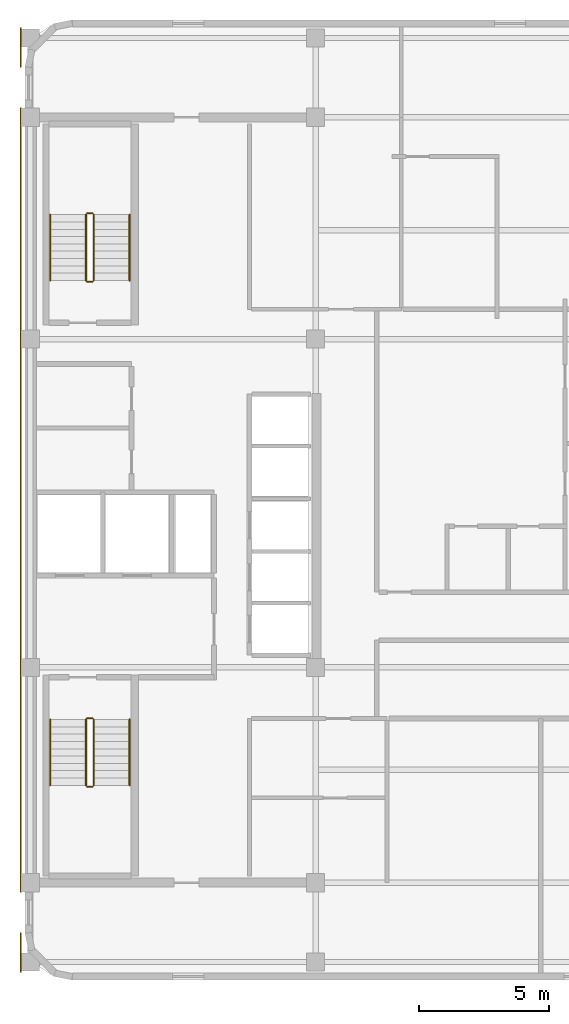
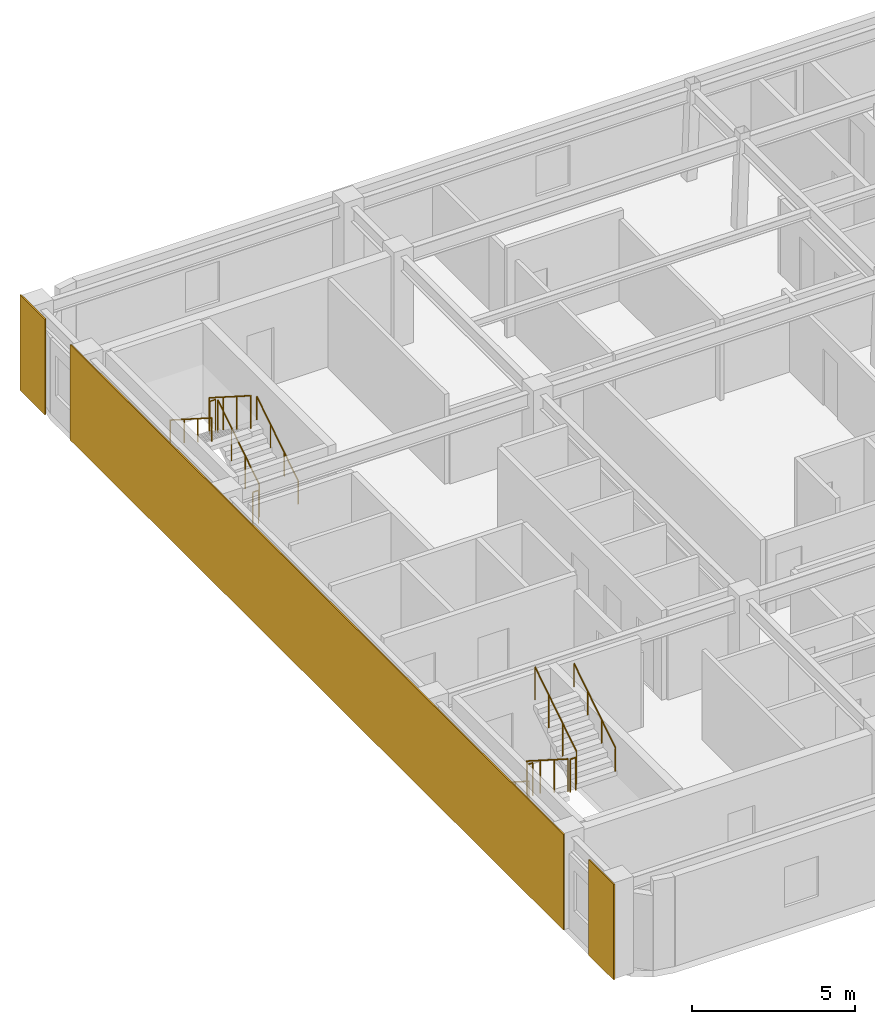
# One storey, part 7 of 7: 12 railings, 3 coverings.
"""IFC4 building model written with IfcOpenShell, lengths in metres."""

from ifc_helpers import new_model, si_unit, direction, frame, origin, origin_2d, place, context, subcontext, project, spatial, rectangle, circle, extrude, material, layer, layer_set, type_object, element, save


model = new_model("IFC4")

# Units and contexts
model_context = context("Model", 3, precision=1e-05, world=origin(), true_north=direction((0.0, 1.0)))
body_context = subcontext(model_context, "Body", "Model", "MODEL_VIEW")
ifc_project = project(units=[si_unit("LENGTHUNIT", "METRE"), si_unit("AREAUNIT", "SQUARE_METRE"), si_unit("VOLUMEUNIT", "CUBIC_METRE"), si_unit("PLANEANGLEUNIT", "RADIAN"), si_unit("MASSUNIT", "GRAM", prefix="KILO")], contexts=[model_context])

# Site, building, storey
site_placement = place(None, origin())
site = spatial("IfcSite", under=ifc_project, at=site_placement, CompositionType="ELEMENT")
building_placement = place(site_placement, origin())
building = spatial("IfcBuilding", under=site, at=building_placement, Name="Ochreholt Gables", CompositionType="ELEMENT")
storey_placement = place(building_placement, frame((0.0, 0.0, 209.39990234375)))
storey = spatial("IfcBuildingStorey", under=building, at=storey_placement, Name="L54", CompositionType="ELEMENT", Elevation=209.39990234375)

# Coverings
ifc_material_1 = material(Name="Glazed Ochre Terracotta Rainscreen Cladding", Category="masonry")
ifc_layer = layer(ifc_material_1, 0.044921875, Name="Glazed Ochre Terracotta Rainscreen Cladding")
ifc_layer_set = layer_set([ifc_layer], Name="Glazed Ochre Terracotta Rainscreen Cladding")
covering_type = type_object("IfcCoveringType", Name="COV-CLAD-TC", PredefinedType="CLADDING", material=ifc_layer_set)
covering_placement = place(storey_placement, frame((23.827880859375, 24.0, 0.010009765625), z_axis=(0.0, 0.0, 1.0), x_axis=(0.0, 1.0, 0.0)))
element("IfcCovering", 1, at=covering_placement, inside=storey, type_object=covering_type, Name="L54 West Core Terracotta Rainscreen Cladding", PredefinedType="CLADDING", context=body_context, shape_type="SweptSolid", body=[
    extrude(rectangle(XDim=30.239990234375, YDim=0.044921875, at=origin_2d()), origin(), (0.0, 0.0, 1.0), 3.580078125),
])
for number, where, z_axis, x_axis, name in (
    (2, (23.827880859375, 6.56005859375, 0.010009765625), (0.0, 0.0, 1.0), (0.0, 1.0, 0.0), "L54 South-West Pier Terracotta Cladding"),
    (3, (23.827880859375, 41.43994140625, 0.010009765625), (0.0, 0.0, 1.0), (0.0, 1.0, 0.0), "L54 North-West Pier Terracotta Cladding"),
):
    element("IfcCovering", number, at=place(storey_placement, frame(where, z_axis=z_axis, x_axis=x_axis)), inside=storey, type_object=covering_type, Name=name, PredefinedType="CLADDING", context=body_context, shape_type="SweptSolid", body=[
        extrude(rectangle(XDim=1.52001953125, YDim=0.044921875, at=origin_2d()), origin(), (0.0, 0.0, 1.0), 3.580078125),
    ])

# Railings
ifc_material_2 = material(Name="Painted Steel Stair Guardrail", Category="steel")
railing_type_1 = type_object("IfcRailingType", Name="RL-ST-GUARD", PredefinedType="GUARDRAIL", material=ifc_material_2)
railing_1_placement = place(storey_placement, frame((26.35009765625, 15.5400390625, 0.18017578125)))
element("IfcRailing", 4, at=railing_1_placement, inside=storey, type_object=railing_type_1, Name="L54 ST-1 stair guard 1", PredefinedType="GUARDRAIL", context=body_context, shape_type="SweptSolid", body=[
    extrude(circle(Radius=0.02392578125, at=origin_2d()), frame((0.0, 0.0, 1.22607421875), z_axis=(0.0, -0.842949592929, 0.537992549931), x_axis=(1.0, 0.0, 0.0)), (0.0, 0.0, 1.0), 3.010986328125),
    extrude(circle(Radius=0.02099609375, at=origin_2d()), origin(), (0.0, 0.0, 1.0), 1.201904296875),
    extrude(circle(Radius=0.02099609375, at=origin_2d()), frame((0.0, -0.845947265625, 0.5400390625)), (0.0, 0.0, 1.0), 1.201904296875),
    extrude(circle(Radius=0.02099609375, at=origin_2d()), frame((0.0, -1.692138671875, 1.079833984375)), (0.0, 0.0, 1.0), 1.201904296875),
    extrude(circle(Radius=0.02099609375, at=origin_2d()), frame((0.0, -2.5380859375, 1.619873046875)), (0.0, 0.0, 1.0), 1.201904296875),
])
railing_2_placement = place(storey_placement, frame((26.39990234375, 12.951904296875, 1.800048828125)))
element("IfcRailing", 5, at=railing_2_placement, inside=storey, type_object=railing_type_1, Name="L54 ST-1 stair guard 2", PredefinedType="GUARDRAIL", context=body_context, shape_type="SweptSolid", body=[
    extrude(circle(Radius=0.02392578125, at=origin_2d()), frame((0.0, 0.0, 1.22607421875), z_axis=(1.0, 0.0, 0.0), x_axis=(0.0, 1.0, 0.0)), (0.0, 0.0, 1.0), 0.2001953125),
    extrude(circle(Radius=0.02099609375, at=origin_2d()), origin(), (0.0, 0.0, 1.0), 1.201904296875),
    extrude(circle(Radius=0.02099609375, at=origin_2d()), frame((0.2001953125, 0.0, 0.0)), (0.0, 0.0, 1.0), 1.201904296875),
])
railing_3_placement = place(storey_placement, frame((26.64990234375, 13.001953125, 1.97998046875)))
element("IfcRailing", 6, at=railing_3_placement, inside=storey, type_object=railing_type_1, Name="L54 ST-1 stair guard 3", PredefinedType="GUARDRAIL", context=body_context, shape_type="SweptSolid", body=[
    extrude(circle(Radius=0.02392578125, at=origin_2d()), frame((0.0, 0.0, 1.22607421875), z_axis=(0.0, 0.842912820907, 0.538050161556), x_axis=(-1.0, 0.0, 0.0)), (0.0, 0.0, 1.0), 3.010986328125),
    extrude(circle(Radius=0.02099609375, at=origin_2d()), origin(), (0.0, 0.0, 1.0), 1.201904296875),
    extrude(circle(Radius=0.02099609375, at=origin_2d()), frame((0.0, 0.845947265625, 0.5400390625)), (0.0, 0.0, 1.0), 1.201904296875),
    extrude(circle(Radius=0.02099609375, at=origin_2d()), frame((0.0, 1.692138671875, 1.080078125)), (0.0, 0.0, 1.0), 1.201904296875),
    extrude(circle(Radius=0.02099609375, at=origin_2d()), frame((0.0, 2.5380859375, 1.6201171875)), (0.0, 0.0, 1.0), 1.201904296875),
])
railing_4_placement = place(storey_placement, frame((26.39990234375, 15.590087890625, 0.0)))
element("IfcRailing", 7, at=railing_4_placement, inside=storey, type_object=railing_type_1, Name="L54 ST-1 stair guard 4", PredefinedType="GUARDRAIL", context=body_context, shape_type="SweptSolid", body=[
    extrude(circle(Radius=0.02392578125, at=origin_2d()), frame((0.0, 0.0, 1.22607421875), z_axis=(1.0, 0.0, 0.0), x_axis=(0.0, 1.0, 0.0)), (0.0, 0.0, 1.0), 0.2001953125),
    extrude(circle(Radius=0.02099609375, at=origin_2d()), origin(), (0.0, 0.0, 1.0), 1.201904296875),
    extrude(circle(Radius=0.02099609375, at=origin_2d()), frame((0.2001953125, 0.0, 0.0)), (0.0, 0.0, 1.0), 1.201904296875),
])
railing_5_placement = place(storey_placement, frame((26.64990234375, 32.4599609375, 0.18017578125)))
element("IfcRailing", 8, at=railing_5_placement, inside=storey, type_object=railing_type_1, Name="L54 ST-2 stair guard 1", PredefinedType="GUARDRAIL", context=body_context, shape_type="SweptSolid", body=[
    extrude(circle(Radius=0.02392578125, at=origin_2d()), frame((0.0, 0.0, 1.22607421875), z_axis=(0.0, 0.842949592929, 0.537992549931), x_axis=(-1.0, 0.0, 0.0)), (0.0, 0.0, 1.0), 3.010986328125),
    extrude(circle(Radius=0.02099609375, at=origin_2d()), origin(), (0.0, 0.0, 1.0), 1.201904296875),
    extrude(circle(Radius=0.02099609375, at=origin_2d()), frame((0.0, 0.845947265625, 0.5400390625)), (0.0, 0.0, 1.0), 1.201904296875),
    extrude(circle(Radius=0.02099609375, at=origin_2d()), frame((0.0, 1.692138671875, 1.079833984375)), (0.0, 0.0, 1.0), 1.201904296875),
    extrude(circle(Radius=0.02099609375, at=origin_2d()), frame((0.0, 2.5380859375, 1.619873046875)), (0.0, 0.0, 1.0), 1.201904296875),
])
railing_6_placement = place(storey_placement, frame((26.60009765625, 35.048095703125, 1.800048828125)))
element("IfcRailing", 9, at=railing_6_placement, inside=storey, type_object=railing_type_1, Name="L54 ST-2 stair guard 2", PredefinedType="GUARDRAIL", context=body_context, shape_type="SweptSolid", body=[
    extrude(circle(Radius=0.02392578125, at=origin_2d()), frame((0.0, 0.0, 1.22607421875), z_axis=(-1.0, 0.0, 0.0), x_axis=(0.0, -1.0, 0.0)), (0.0, 0.0, 1.0), 0.2001953125),
    extrude(circle(Radius=0.02099609375, at=origin_2d()), origin(), (0.0, 0.0, 1.0), 1.201904296875),
    extrude(circle(Radius=0.02099609375, at=origin_2d()), frame((-0.2001953125, 0.0, 0.0)), (0.0, 0.0, 1.0), 1.201904296875),
])
railing_7_placement = place(storey_placement, frame((26.35009765625, 34.998046875, 1.97998046875)))
element("IfcRailing", 10, at=railing_7_placement, inside=storey, type_object=railing_type_1, Name="L54 ST-2 stair guard 3", PredefinedType="GUARDRAIL", context=body_context, shape_type="SweptSolid", body=[
    extrude(circle(Radius=0.02392578125, at=origin_2d()), frame((0.0, 0.0, 1.22607421875), z_axis=(0.0, -0.842912820907, 0.538050161556), x_axis=(1.0, 0.0, 0.0)), (0.0, 0.0, 1.0), 3.010986328125),
    extrude(circle(Radius=0.02099609375, at=origin_2d()), origin(), (0.0, 0.0, 1.0), 1.201904296875),
    extrude(circle(Radius=0.02099609375, at=origin_2d()), frame((0.0, -0.845947265625, 0.5400390625)), (0.0, 0.0, 1.0), 1.201904296875),
    extrude(circle(Radius=0.02099609375, at=origin_2d()), frame((0.0, -1.692138671875, 1.080078125)), (0.0, 0.0, 1.0), 1.201904296875),
    extrude(circle(Radius=0.02099609375, at=origin_2d()), frame((0.0, -2.5380859375, 1.6201171875)), (0.0, 0.0, 1.0), 1.201904296875),
])
railing_8_placement = place(storey_placement, frame((26.60009765625, 32.409912109375, 0.0)))
element("IfcRailing", 11, at=railing_8_placement, inside=storey, type_object=railing_type_1, Name="L54 ST-2 stair guard 4", PredefinedType="GUARDRAIL", context=body_context, shape_type="SweptSolid", body=[
    extrude(circle(Radius=0.02392578125, at=origin_2d()), frame((0.0, 0.0, 1.22607421875), z_axis=(-1.0, 0.0, 0.0), x_axis=(0.0, -1.0, 0.0)), (0.0, 0.0, 1.0), 0.2001953125),
    extrude(circle(Radius=0.02099609375, at=origin_2d()), origin(), (0.0, 0.0, 1.0), 1.201904296875),
    extrude(circle(Radius=0.02099609375, at=origin_2d()), frame((-0.2001953125, 0.0, 0.0)), (0.0, 0.0, 1.0), 1.201904296875),
])
ifc_material_3 = material(Name="Brushed Stainless Steel Wall Handrail", Category="steel")
railing_type_2 = type_object("IfcRailingType", Name="RL-ST-HAND", PredefinedType="HANDRAIL", material=ifc_material_3)
railing_9_placement = place(storey_placement, frame((24.969970703125, 15.5400390625, 0.18017578125)))
element("IfcRailing", 12, at=railing_9_placement, inside=storey, type_object=railing_type_2, Name="L54 ST-1 stair handrail 1", PredefinedType="HANDRAIL", context=body_context, shape_type="SweptSolid", body=[
    extrude(circle(Radius=0.02392578125, at=origin_2d()), frame((0.0, 0.0, 0.8759765625), z_axis=(0.0, -0.842949592929, 0.537992549931), x_axis=(1.0, 0.0, 0.0)), (0.0, 0.0, 1.0), 3.010986328125),
    extrude(circle(Radius=0.02099609375, at=origin_2d()), origin(), (0.0, 0.0, 1.0), 0.851806640625),
    extrude(circle(Radius=0.02099609375, at=origin_2d()), frame((0.0, -0.845947265625, 0.5400390625)), (0.0, 0.0, 1.0), 0.851806640625),
    extrude(circle(Radius=0.02099609375, at=origin_2d()), frame((0.0, -1.692138671875, 1.079833984375)), (0.0, 0.0, 1.0), 0.851806640625),
    extrude(circle(Radius=0.02099609375, at=origin_2d()), frame((0.0, -2.5380859375, 1.619873046875)), (0.0, 0.0, 1.0), 0.851806640625),
])
railing_10_placement = place(storey_placement, frame((28.030029296875, 13.001953125, 1.97998046875)))
element("IfcRailing", 13, at=railing_10_placement, inside=storey, type_object=railing_type_2, Name="L54 ST-1 stair handrail 2", PredefinedType="HANDRAIL", context=body_context, shape_type="SweptSolid", body=[
    extrude(circle(Radius=0.02392578125, at=origin_2d()), frame((0.0, 0.0, 0.8759765625), z_axis=(0.0, 0.842912820907, 0.538050161556), x_axis=(-1.0, 0.0, 0.0)), (0.0, 0.0, 1.0), 3.010986328125),
    extrude(circle(Radius=0.02099609375, at=origin_2d()), origin(), (0.0, 0.0, 1.0), 0.851806640625),
    extrude(circle(Radius=0.02099609375, at=origin_2d()), frame((0.0, 0.845947265625, 0.5400390625)), (0.0, 0.0, 1.0), 0.851806640625),
    extrude(circle(Radius=0.02099609375, at=origin_2d()), frame((0.0, 1.692138671875, 1.080078125)), (0.0, 0.0, 1.0), 0.851806640625),
    extrude(circle(Radius=0.02099609375, at=origin_2d()), frame((0.0, 2.5380859375, 1.6201171875)), (0.0, 0.0, 1.0), 0.851806640625),
])
railing_11_placement = place(storey_placement, frame((28.030029296875, 32.4599609375, 0.18017578125)))
element("IfcRailing", 14, at=railing_11_placement, inside=storey, type_object=railing_type_2, Name="L54 ST-2 stair handrail 1", PredefinedType="HANDRAIL", context=body_context, shape_type="SweptSolid", body=[
    extrude(circle(Radius=0.02392578125, at=origin_2d()), frame((0.0, 0.0, 0.8759765625), z_axis=(0.0, 0.842949592929, 0.537992549931), x_axis=(-1.0, 0.0, 0.0)), (0.0, 0.0, 1.0), 3.010986328125),
    extrude(circle(Radius=0.02099609375, at=origin_2d()), origin(), (0.0, 0.0, 1.0), 0.851806640625),
    extrude(circle(Radius=0.02099609375, at=origin_2d()), frame((0.0, 0.845947265625, 0.5400390625)), (0.0, 0.0, 1.0), 0.851806640625),
    extrude(circle(Radius=0.02099609375, at=origin_2d()), frame((0.0, 1.692138671875, 1.079833984375)), (0.0, 0.0, 1.0), 0.851806640625),
    extrude(circle(Radius=0.02099609375, at=origin_2d()), frame((0.0, 2.5380859375, 1.619873046875)), (0.0, 0.0, 1.0), 0.851806640625),
])
railing_12_placement = place(storey_placement, frame((24.969970703125, 34.998046875, 1.97998046875)))
element("IfcRailing", 15, at=railing_12_placement, inside=storey, type_object=railing_type_2, Name="L54 ST-2 stair handrail 2", PredefinedType="HANDRAIL", context=body_context, shape_type="SweptSolid", body=[
    extrude(circle(Radius=0.02392578125, at=origin_2d()), frame((0.0, 0.0, 0.8759765625), z_axis=(0.0, -0.842912820907, 0.538050161556), x_axis=(1.0, 0.0, 0.0)), (0.0, 0.0, 1.0), 3.010986328125),
    extrude(circle(Radius=0.02099609375, at=origin_2d()), origin(), (0.0, 0.0, 1.0), 0.851806640625),
    extrude(circle(Radius=0.02099609375, at=origin_2d()), frame((0.0, -0.845947265625, 0.5400390625)), (0.0, 0.0, 1.0), 0.851806640625),
    extrude(circle(Radius=0.02099609375, at=origin_2d()), frame((0.0, -1.692138671875, 1.080078125)), (0.0, 0.0, 1.0), 0.851806640625),
    extrude(circle(Radius=0.02099609375, at=origin_2d()), frame((0.0, -2.5380859375, 1.6201171875)), (0.0, 0.0, 1.0), 0.851806640625),
])

save(model, "model.ifc")
